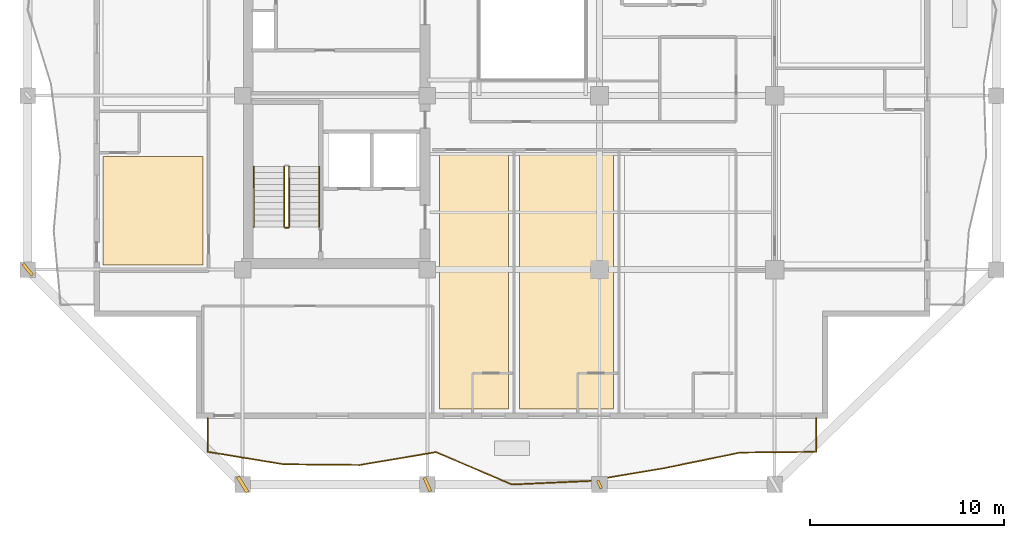
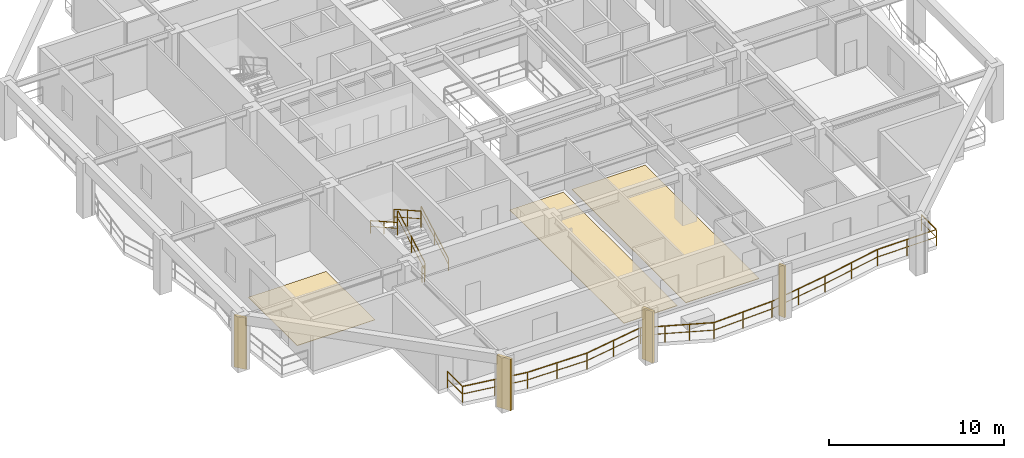
# One storey, part 8 of 12: 6 railings, 4 shading devices, 3 coverings.
"""IFC4 building model written with IfcOpenShell, lengths in metres."""

import ifcopenshell
import ifcopenshell.guid

model = None  # the IFC model being written
_history = None  # IfcOwnerHistory: only IFC2X3 demands one
_inside = {}  # id of a spatial element -> (the spatial element, [elements in it])
_under = {}  # id of a project, library or spatial element -> (it, [spatial elements below it])
_declared = {}  # id of a project -> (the project, [libraries it declares])
_typed = {}  # id of a type object -> (the type object, [elements of that type])
_made_of = {}  # id of a material, layer set ... -> (it, [elements and type objects made of it])


def new_model(schema):
    """Start an empty IFC model of exactly this schema.

    Asked for "IFC4X3", IfcOpenShell would pick the latest addendum, in which some entities
    have other attributes; the version numbers below select the first issue.
    IFC2X3 requires an IfcOwnerHistory on every rooted entity: one is made here for all.
    """
    global model, _history
    if schema == "IFC4X3":
        model = ifcopenshell.file(schema_version=(4, 3, 0, 0))
    else:
        model = ifcopenshell.file(schema=schema)
    _inside.clear()
    _under.clear()
    _declared.clear()
    _typed.clear()
    _made_of.clear()
    _history = None
    if model.schema == "IFC2X3":
        org = make("IfcOrganization", Name="unknown")
        user = make(
            "IfcPersonAndOrganization",
            ThePerson=make("IfcPerson", FamilyName="unknown"),
            TheOrganization=org,
        )
        app = make(
            "IfcApplication",
            ApplicationDeveloper=org,
            Version="unknown",
            ApplicationFullName="unknown",
            ApplicationIdentifier="unknown",
        )
        _history = make(
            "IfcOwnerHistory",
            OwningUser=user,
            OwningApplication=app,
            ChangeAction="ADDED",
            CreationDate=0,
        )
    return model


def make(cls, **values):
    """One entity of the class cls with the attributes given. An attribute that is None is left unset."""
    return model.create_entity(
        cls, **{name: value for name, value in values.items() if value is not None}
    )


def rooted(cls, **values):
    """An entity with a GlobalId (a new one), such as an element, a storey or a relation."""
    return make(cls, GlobalId=ifcopenshell.guid.new(), OwnerHistory=_history, **values)


def si_unit(unit_type, name, prefix=None):
    """IfcSIUnit, for example si_unit("LENGTHUNIT", "METRE", prefix="MILLI")."""
    return make("IfcSIUnit", UnitType=unit_type, Prefix=prefix, Name=name)


def assignment(units):
    """IfcUnitAssignment: the units of a project."""
    return None if units is None else make("IfcUnitAssignment", Units=units)


def point(xyz):
    """IfcCartesianPoint."""
    return None if xyz is None else make("IfcCartesianPoint", Coordinates=xyz)


def direction(xyz):
    """IfcDirection."""
    return None if xyz is None else make("IfcDirection", DirectionRatios=xyz)


def frame(location, z_axis=None, x_axis=None):
    """IfcAxis2Placement3D, a coordinate frame: its origin and axes. An axis left out is left unset."""
    return make(
        "IfcAxis2Placement3D",
        Location=point(location),
        Axis=direction(z_axis),
        RefDirection=direction(x_axis),
    )


def frame_2d(location, x_axis=None):
    """IfcAxis2Placement2D, a coordinate frame in the plane: its origin and x axis."""
    return make(
        "IfcAxis2Placement2D", Location=point(location), RefDirection=direction(x_axis)
    )


def origin():
    """The frame at (0, 0, 0) with its axes left unset."""
    return frame((0.0, 0.0, 0.0))


def origin_2d():
    """The frame at (0, 0) in the plane with its x axis left unset."""
    return frame_2d((0.0, 0.0))


def place(relative_to, where):
    """IfcLocalPlacement: puts the frame where relative to a parent placement (None: the world)."""
    return make(
        "IfcLocalPlacement", PlacementRelTo=relative_to, RelativePlacement=where
    )


def context(
    kind, dimensions, precision=None, world=None, true_north=None, identifier=None
):
    """IfcGeometricRepresentationContext, for example the 3D "Model" context."""
    return make(
        "IfcGeometricRepresentationContext",
        ContextIdentifier=identifier,
        ContextType=kind,
        CoordinateSpaceDimension=dimensions,
        Precision=precision,
        WorldCoordinateSystem=world,
        TrueNorth=true_north,
    )


def subcontext(parent, identifier, kind, view, scale=None):
    """IfcGeometricRepresentationSubContext, for example "Body" below "Model"."""
    return make(
        "IfcGeometricRepresentationSubContext",
        ContextIdentifier=identifier,
        ContextType=kind,
        ParentContext=parent,
        TargetScale=scale,
        TargetView=view,
    )


def project(units=None, contexts=None):
    """IfcProject with its units and contexts."""
    return rooted(
        "IfcProject",
        Name="project",
        RepresentationContexts=contexts,
        UnitsInContext=assignment(units),
    )


def spatial(cls, under=None, at=None, **own):
    """A site, building, storey or space (cls), placed at a placement, below another one or the project."""
    s = rooted(cls, ObjectPlacement=at, **own)
    if under is not None:
        _under.setdefault(under.id(), (under, []))[1].append(s)
    return s


def polyline(points):
    """IfcPolyline through the points."""
    return make("IfcPolyline", Points=[point(p) for p in points])


def profile(cls, at=None, kind="AREA", **sizes):
    """A parametric profile (cls). Its sizes go by their IFC names, for example OverallWidth=200.0."""
    return make(cls, ProfileType=kind, Position=at, **sizes)


def rectangle(**sizes):
    """IfcRectangleProfileDef."""
    return profile("IfcRectangleProfileDef", **sizes)


def outline(outer, holes=None, kind="AREA"):
    """IfcArbitraryClosedProfileDef: a profile drawn as a closed curve; with holes, ...WithVoids."""
    if holes is None:
        return make("IfcArbitraryClosedProfileDef", ProfileType=kind, OuterCurve=outer)
    return make(
        "IfcArbitraryProfileDefWithVoids",
        ProfileType=kind,
        OuterCurve=outer,
        InnerCurves=holes,
    )


def extrude(swept, where, along, depth):
    """IfcExtrudedAreaSolid: the profile swept, set in the frame where, extruded along a direction by depth."""
    return make(
        "IfcExtrudedAreaSolid",
        SweptArea=swept,
        Position=where,
        ExtrudedDirection=direction(along),
        Depth=depth,
    )


def shape(context_of_items, identifier, shape_type, items):
    """IfcShapeRepresentation: the items that make up one representation, for example the "Body"."""
    return make(
        "IfcShapeRepresentation",
        ContextOfItems=context_of_items,
        RepresentationIdentifier=identifier,
        RepresentationType=shape_type,
        Items=items,
    )


def material(Name=None, Category=None):
    """IfcMaterial."""
    return make("IfcMaterial", Name=Name, Category=Category)


def layer(
    of_material, thickness, ventilated=None, Name=None, Category=None, Priority=None
):
    """IfcMaterialLayer: one layer of a wall or slab, of a material (None: an air gap)."""
    return make(
        "IfcMaterialLayer",
        Material=of_material,
        LayerThickness=thickness,
        IsVentilated=ventilated,
        Name=Name,
        Category=Category,
        Priority=Priority,
    )


def layer_set(layers, Name=None):
    """IfcMaterialLayerSet."""
    return make("IfcMaterialLayerSet", MaterialLayers=layers, LayerSetName=Name)


def made_of(thing, what):
    """Note that an element or type object is made of a material, layer set ...; save() writes the relation."""
    if what is not None:
        _made_of.setdefault(what.id(), (what, []))[1].append(thing)
    return thing


def type_object(cls, material=None, **own):
    """A type object (cls), such as IfcWallType, which elements share."""
    return made_of(rooted(cls, **own), material)


def element(
    cls,
    number,
    at=None,
    inside=None,
    cuts=None,
    type_object=None,
    material=None,
    context=None,
    identifier="Body",
    shape_type=None,
    held_by="IfcProductDefinitionShape",
    body=None,
    shapes=None,
    **own,
):
    """One element of the class cls, such as IfcWall. Its Tag is "e" and its number.

    at: its placement. inside: the storey or other place that contains it. cuts: it is an
    opening in that element (IfcRelVoidsElement). A single representation is given by context,
    identifier, shape_type and body (its items); several are given by shapes. held_by: the class
    of the entity that holds the representations. save() writes the other relations.
    """
    e = rooted(cls, Tag="e%d" % number, ObjectPlacement=at, **own)
    if body is not None:
        shapes = [shape(context, identifier, shape_type, body)]
    if shapes is not None:
        e.Representation = make(held_by, Representations=shapes)
    if inside is not None:
        _inside.setdefault(inside.id(), (inside, []))[1].append(e)
    if cuts is not None:
        rooted(
            "IfcRelVoidsElement", RelatingBuildingElement=cuts, RelatedOpeningElement=e
        )
    if type_object is not None:
        _typed.setdefault(type_object.id(), (type_object, []))[1].append(e)
    return made_of(e, material)


def aggregate(whole, parts):
    """IfcRelAggregates: a whole, such as a stair, and the parts it consists of."""
    return rooted("IfcRelAggregates", RelatingObject=whole, RelatedObjects=parts)


def save(model, path):
    """Write the relations noted so far, then the file.

    IfcRelAggregates (storeys below a building ...), IfcRelContainedInSpatialStructure (elements
    in a storey), IfcRelDefinesByType, IfcRelAssociatesMaterial and IfcRelDeclares: one each for
    every whole, place, type object, material and project.
    """
    for whole, parts in _under.values():
        aggregate(whole, parts)
    for where, things in _inside.values():
        rooted(
            "IfcRelContainedInSpatialStructure",
            RelatedElements=things,
            RelatingStructure=where,
        )
    for kind, things in _typed.values():
        rooted("IfcRelDefinesByType", RelatedObjects=things, RelatingType=kind)
    for what, things in _made_of.values():
        rooted("IfcRelAssociatesMaterial", RelatedObjects=things, RelatingMaterial=what)
    for by, libraries in _declared.values():
        rooted("IfcRelDeclares", RelatingContext=by, RelatedDefinitions=libraries)
    model.write(path)


model = new_model("IFC4")

# Units and contexts
model_context = context("Model", 3, precision=1e-05, world=origin(), true_north=direction((0.0, 1.0)))
body_context = subcontext(model_context, "Body", "Model", "MODEL_VIEW")
ifc_project = project(units=[si_unit("LENGTHUNIT", "METRE"), si_unit("AREAUNIT", "SQUARE_METRE"), si_unit("VOLUMEUNIT", "CUBIC_METRE"), si_unit("PLANEANGLEUNIT", "RADIAN"), si_unit("MASSUNIT", "GRAM", prefix="KILO")], contexts=[model_context])

# Site, building, storey
site_placement = place(None, origin())
site = spatial("IfcSite", under=ifc_project, at=site_placement, CompositionType="ELEMENT")
building_placement = place(site_placement, origin())
building = spatial("IfcBuilding", under=site, at=building_placement, Name="Kundavana Baori Tower", CompositionType="ELEMENT")
storey_placement = place(building_placement, frame((0.0, 0.0, 173.300048828125)))
storey = spatial("IfcBuildingStorey", under=building, at=storey_placement, Name="L42", CompositionType="ELEMENT", Elevation=173.300048828125)

# Coverings
ifc_material_1 = material(Name="Honed Kota Stone and Terrazzo Flooring", Category="masonry")
ifc_layer = layer(ifc_material_1, 0.030029296875, Name="COV-INT-FLR")
ifc_layer_set = layer_set([ifc_layer], Name="Honed Kota Stone and Terrazzo Flooring")
covering_type = type_object("IfcCoveringType", Name="COV-INT-FLR", PredefinedType="FLOORING", material=ifc_layer_set)
covering_1_placement = place(storey_placement, origin())
element("IfcCovering", 1, at=covering_1_placement, inside=storey, type_object=covering_type, Name="L42 Room Finished Stone Flooring 1", PredefinedType="FLOORING", context=body_context, shape_type="SweptSolid", body=[
    extrude(outline(polyline([(8.280029296875, 15.5), (13.419921875, 15.5), (13.419921875, 21.070068359375), (8.280029296875, 21.070068359375), (8.280029296875, 15.5)])), origin(), (0.0, 0.0, 1.0), 0.030029296875),
])
covering_2_placement = place(storey_placement, origin())
element("IfcCovering", 2, at=covering_2_placement, inside=storey, type_object=covering_type, Name="L42 Room Finished Stone Flooring 4", PredefinedType="FLOORING", context=body_context, shape_type="SweptSolid", body=[
    extrude(outline(polyline([(25.580078125, 8.080078125), (29.1201171875, 8.080078125), (29.1201171875, 21.139892578125), (25.580078125, 21.139892578125), (25.580078125, 8.080078125)])), origin(), (0.0, 0.0, 1.0), 0.030029296875),
])
covering_3_placement = place(storey_placement, origin())
element("IfcCovering", 3, at=covering_3_placement, inside=storey, type_object=covering_type, Name="L42 Room Finished Stone Flooring 5", PredefinedType="FLOORING", context=body_context, shape_type="SweptSolid", body=[
    extrude(outline(polyline([(29.679931640625, 8.080078125), (34.52001953125, 8.080078125), (34.52001953125, 21.139892578125), (29.679931640625, 21.139892578125), (29.679931640625, 8.080078125)])), origin(), (0.0, 0.0, 1.0), 0.030029296875),
])

# Railings
ifc_material_2 = material(Name="Architectural Patinated Bronze Metalwork")
railing_type_1 = type_object("IfcRailingType", Name="RL-BAL-1150", PredefinedType="BALUSTRADE", material=ifc_material_2)
railing_1_placement = place(storey_placement, frame((44.949951171875, 7.60009765625, 0.0)))
element("IfcRailing", 4, at=railing_1_placement, inside=storey, type_object=railing_type_1, Name="L42 Loggia Balcony Balustrade S", PredefinedType="BALUSTRADE", context=body_context, shape_type="SweptSolid", body=[
    extrude(rectangle(XDim=0.048095703125, YDim=0.048095703125, at=origin_2d()), frame((0.0, 0.0, 1.1259765625), z_axis=(0.0, -1.0, 0.0), x_axis=(1.0, 0.0, 0.0)), (0.0, 0.0, 1.0), 1.72021484375),
    extrude(rectangle(XDim=0.03125, YDim=0.03125, at=origin_2d()), frame((0.0, 0.0, 0.597900390625), z_axis=(0.0, -1.0, 0.0), x_axis=(1.0, 0.0, 0.0)), (0.0, 0.0, 1.0), 1.72021484375),
    extrude(rectangle(XDim=0.048095703125, YDim=0.048095703125, at=origin_2d()), frame((0.0, -1.72021484375, 1.1259765625), z_axis=(-0.999948260308, -0.010172350149, 0.0), x_axis=(0.010172350149, -0.999948260308, 0.0)), (0.0, 0.0, 1.0), 3.912109375),
    extrude(rectangle(XDim=0.03125, YDim=0.03125, at=origin_2d()), frame((0.0, -1.72021484375, 0.597900390625), z_axis=(-0.999948260308, -0.010172350149, 0.0), x_axis=(0.010172350149, -0.999948260308, 0.0)), (0.0, 0.0, 1.0), 3.912109375),
    extrude(rectangle(XDim=0.048095703125, YDim=0.048095703125, at=origin_2d()), frame((-3.911865234375, -1.760009765625, 1.1259765625), z_axis=(-0.979636312736, -0.200780215082, 0.0), x_axis=(0.200780215082, -0.979636312736, 0.0)), (0.0, 0.0, 1.0), 3.994384765625),
    extrude(rectangle(XDim=0.03125, YDim=0.03125, at=origin_2d()), frame((-3.911865234375, -1.760009765625, 0.597900390625), z_axis=(-0.979636312736, -0.200780215082, 0.0), x_axis=(0.200780215082, -0.979636312736, 0.0)), (0.0, 0.0, 1.0), 3.994384765625),
    extrude(rectangle(XDim=0.048095703125, YDim=0.048095703125, at=origin_2d()), frame((-7.824951171875, -2.56201171875, 1.1259765625), z_axis=(-0.986018861941, -0.166633741771, 0.0), x_axis=(0.166633741771, -0.986018861941, 0.0)), (0.0, 0.0, 1.0), 3.967529296875),
    extrude(rectangle(XDim=0.03125, YDim=0.03125, at=origin_2d()), frame((-7.824951171875, -2.56201171875, 0.597900390625), z_axis=(-0.986018861941, -0.166633741771, 0.0), x_axis=(0.166633741771, -0.986018861941, 0.0)), (0.0, 0.0, 1.0), 3.967529296875),
    extrude(rectangle(XDim=0.048095703125, YDim=0.048095703125, at=origin_2d()), frame((-11.737060546875, -3.22314453125, 1.1259765625), z_axis=(-0.998978412332, -0.045189951266, 0.0), x_axis=(0.045189951266, -0.998978412332, 0.0)), (0.0, 0.0, 1.0), 3.916748046875),
    extrude(rectangle(XDim=0.03125, YDim=0.03125, at=origin_2d()), frame((-11.737060546875, -3.22314453125, 0.597900390625), z_axis=(-0.998978412332, -0.045189951266, 0.0), x_axis=(0.045189951266, -0.998978412332, 0.0)), (0.0, 0.0, 1.0), 3.916748046875),
    extrude(rectangle(XDim=0.048095703125, YDim=0.048095703125, at=origin_2d()), frame((-15.64990234375, -3.400146484375, 1.1259765625), z_axis=(-0.920376399955, 0.391033607769, 0.0), x_axis=(-0.391033607769, -0.920376399955, 0.0)), (0.0, 0.0, 1.0), 4.25048828125),
    extrude(rectangle(XDim=0.03125, YDim=0.03125, at=origin_2d()), frame((-15.64990234375, -3.400146484375, 0.597900390625), z_axis=(-0.920376399955, 0.391033607769, 0.0), x_axis=(-0.391033607769, -0.920376399955, 0.0)), (0.0, 0.0, 1.0), 4.25048828125),
    extrude(rectangle(XDim=0.048095703125, YDim=0.048095703125, at=origin_2d()), frame((-19.56201171875, -1.738037109375, 1.1259765625), z_axis=(-0.986023986339, -0.166603416423, 0.0), x_axis=(0.166603416423, -0.986023986339, 0.0)), (0.0, 0.0, 1.0), 3.96826171875),
    extrude(rectangle(XDim=0.03125, YDim=0.03125, at=origin_2d()), frame((-19.56201171875, -1.738037109375, 0.597900390625), z_axis=(-0.986023986339, -0.166603416423, 0.0), x_axis=(0.166603416423, -0.986023986339, 0.0)), (0.0, 0.0, 1.0), 3.96826171875),
    extrude(rectangle(XDim=0.048095703125, YDim=0.048095703125, at=origin_2d()), frame((-23.474853515625, -2.399169921875, 1.1259765625), z_axis=(-0.999955035557, 0.009482977627, 0.0), x_axis=(-0.009482977627, -0.999955035557, 0.0)), (0.0, 0.0, 1.0), 3.913330078125),
    extrude(rectangle(XDim=0.03125, YDim=0.03125, at=origin_2d()), frame((-23.474853515625, -2.399169921875, 0.597900390625), z_axis=(-0.999955035557, 0.009482977627, 0.0), x_axis=(-0.009482977627, -0.999955035557, 0.0)), (0.0, 0.0, 1.0), 3.913330078125),
    extrude(rectangle(XDim=0.048095703125, YDim=0.048095703125, at=origin_2d()), frame((-27.387939453125, -2.362060546875, 1.1259765625), z_axis=(-0.986806866027, 0.161901850398, 0.0), x_axis=(-0.161901850398, -0.986806866027, 0.0)), (0.0, 0.0, 1.0), 3.96435546875),
    extrude(rectangle(XDim=0.03125, YDim=0.03125, at=origin_2d()), frame((-27.387939453125, -2.362060546875, 0.597900390625), z_axis=(-0.986806866027, 0.161901850398, 0.0), x_axis=(-0.161901850398, -0.986806866027, 0.0)), (0.0, 0.0, 1.0), 3.96435546875),
    extrude(rectangle(XDim=0.048095703125, YDim=0.048095703125, at=origin_2d()), frame((-31.300048828125, -1.72021484375, 1.1259765625), z_axis=(0.0, 1.0, 0.0), x_axis=(-1.0, 0.0, 0.0)), (0.0, 0.0, 1.0), 1.72021484375),
    extrude(rectangle(XDim=0.03125, YDim=0.03125, at=origin_2d()), frame((-31.300048828125, -1.72021484375, 0.597900390625), z_axis=(0.0, 1.0, 0.0), x_axis=(-1.0, 0.0, 0.0)), (0.0, 0.0, 1.0), 1.72021484375),
    extrude(rectangle(XDim=0.0419921875, YDim=0.0419921875, at=origin_2d()), origin(), (0.0, 0.0, 1.0), 1.101806640625),
    extrude(rectangle(XDim=0.0419921875, YDim=0.0419921875, at=origin_2d()), frame((0.0, -1.72021484375, 0.0)), (0.0, 0.0, 1.0), 1.101806640625),
    extrude(rectangle(XDim=0.0419921875, YDim=0.0419921875, at=origin_2d()), frame((-1.9560546875, -1.740234375, 0.0)), (0.0, 0.0, 1.0), 1.101806640625),
    extrude(rectangle(XDim=0.0419921875, YDim=0.0419921875, at=origin_2d()), frame((-3.911865234375, -1.760009765625, 0.0)), (0.0, 0.0, 1.0), 1.101806640625),
    extrude(rectangle(XDim=0.0419921875, YDim=0.0419921875, at=origin_2d()), frame((-5.868408203125, -2.1611328125, 0.0)), (0.0, 0.0, 1.0), 1.101806640625),
    extrude(rectangle(XDim=0.0419921875, YDim=0.0419921875, at=origin_2d()), frame((-7.824951171875, -2.56201171875, 0.0)), (0.0, 0.0, 1.0), 1.101806640625),
    extrude(rectangle(XDim=0.0419921875, YDim=0.0419921875, at=origin_2d()), frame((-9.781005859375, -2.892578125, 0.0)), (0.0, 0.0, 1.0), 1.101806640625),
    extrude(rectangle(XDim=0.0419921875, YDim=0.0419921875, at=origin_2d()), frame((-11.737060546875, -3.22314453125, 0.0)), (0.0, 0.0, 1.0), 1.101806640625),
    extrude(rectangle(XDim=0.0419921875, YDim=0.0419921875, at=origin_2d()), frame((-13.693359375, -3.3115234375, 0.0)), (0.0, 0.0, 1.0), 1.101806640625),
    extrude(rectangle(XDim=0.0419921875, YDim=0.0419921875, at=origin_2d()), frame((-15.64990234375, -3.400146484375, 0.0)), (0.0, 0.0, 1.0), 1.101806640625),
    extrude(rectangle(XDim=0.0419921875, YDim=0.0419921875, at=origin_2d()), frame((-16.953857421875, -2.84619140625, 0.0)), (0.0, 0.0, 1.0), 1.101806640625),
    extrude(rectangle(XDim=0.0419921875, YDim=0.0419921875, at=origin_2d()), frame((-18.258056640625, -2.2919921875, 0.0)), (0.0, 0.0, 1.0), 1.101806640625),
    extrude(rectangle(XDim=0.0419921875, YDim=0.0419921875, at=origin_2d()), frame((-19.56201171875, -1.738037109375, 0.0)), (0.0, 0.0, 1.0), 1.101806640625),
    extrude(rectangle(XDim=0.0419921875, YDim=0.0419921875, at=origin_2d()), frame((-21.5185546875, -2.068603515625, 0.0)), (0.0, 0.0, 1.0), 1.101806640625),
    extrude(rectangle(XDim=0.0419921875, YDim=0.0419921875, at=origin_2d()), frame((-23.474853515625, -2.399169921875, 0.0)), (0.0, 0.0, 1.0), 1.101806640625),
    extrude(rectangle(XDim=0.0419921875, YDim=0.0419921875, at=origin_2d()), frame((-25.431396484375, -2.380615234375, 0.0)), (0.0, 0.0, 1.0), 1.101806640625),
    extrude(rectangle(XDim=0.0419921875, YDim=0.0419921875, at=origin_2d()), frame((-27.387939453125, -2.362060546875, 0.0)), (0.0, 0.0, 1.0), 1.101806640625),
    extrude(rectangle(XDim=0.0419921875, YDim=0.0419921875, at=origin_2d()), frame((-29.343994140625, -2.041015625, 0.0)), (0.0, 0.0, 1.0), 1.101806640625),
    extrude(rectangle(XDim=0.0419921875, YDim=0.0419921875, at=origin_2d()), frame((-31.300048828125, -1.72021484375, 0.0)), (0.0, 0.0, 1.0), 1.101806640625),
    extrude(rectangle(XDim=0.0419921875, YDim=0.0419921875, at=origin_2d()), frame((-31.300048828125, 0.0, 0.0)), (0.0, 0.0, 1.0), 1.101806640625),
])
ifc_material_3 = material(Name="Architectural Patinated Bronze Metalwork")
railing_type_2 = type_object("IfcRailingType", Name="RL-GRD-1150", PredefinedType="GUARDRAIL", material=ifc_material_3)
railing_2_placement = place(storey_placement, frame((17.840087890625, 17.449951171875, 0.175048828125)))
element("IfcRailing", 5, at=railing_2_placement, inside=storey, type_object=railing_type_2, Name="L42 ST1 stair guard 1", PredefinedType="GUARDRAIL", context=body_context, shape_type="SweptSolid", body=[
    extrude(rectangle(XDim=0.048095703125, YDim=0.048095703125, at=origin_2d()), frame((0.0, 0.0, 1.1259765625), z_axis=(0.0, 0.870830938388, 0.491582624537), x_axis=(-1.0, 0.0, 0.0)), (0.0, 0.0, 1.0), 3.559814453125),
    extrude(rectangle(XDim=0.03125, YDim=0.03125, at=origin_2d()), frame((0.0, 0.0, 0.597900390625), z_axis=(0.0, 0.870830938388, 0.491582624537), x_axis=(-1.0, 0.0, 0.0)), (0.0, 0.0, 1.0), 3.559814453125),
    extrude(rectangle(XDim=0.0419921875, YDim=0.0419921875, at=origin_2d()), origin(), (0.0, 0.0, 1.0), 1.101806640625),
    extrude(rectangle(XDim=0.0419921875, YDim=0.0419921875, at=origin_2d()), frame((0.0, 1.550048828125, 0.875)), (0.0, 0.0, 1.0), 1.101806640625),
    extrude(rectangle(XDim=0.0419921875, YDim=0.0419921875, at=origin_2d()), frame((0.0, 3.10009765625, 1.75)), (0.0, 0.0, 1.0), 1.101806640625),
])
railing_3_placement = place(storey_placement, frame((17.580078125, 20.550048828125, 2.099853515625)))
element("IfcRailing", 6, at=railing_3_placement, inside=storey, type_object=railing_type_2, Name="L42 ST1 stair guard 3", PredefinedType="GUARDRAIL", context=body_context, shape_type="SweptSolid", body=[
    extrude(rectangle(XDim=0.048095703125, YDim=0.048095703125, at=origin_2d()), frame((0.0, 0.0, 1.1259765625), z_axis=(0.0, -0.870830938388, 0.491582624537), x_axis=(1.0, 0.0, 0.0)), (0.0, 0.0, 1.0), 3.559814453125),
    extrude(rectangle(XDim=0.03125, YDim=0.03125, at=origin_2d()), frame((0.0, 0.0, 0.597900390625), z_axis=(0.0, -0.870830938388, 0.491582624537), x_axis=(1.0, 0.0, 0.0)), (0.0, 0.0, 1.0), 3.559814453125),
    extrude(rectangle(XDim=0.0419921875, YDim=0.0419921875, at=origin_2d()), origin(), (0.0, 0.0, 1.0), 1.101806640625),
    extrude(rectangle(XDim=0.0419921875, YDim=0.0419921875, at=origin_2d()), frame((0.0, -1.550048828125, 0.875)), (0.0, 0.0, 1.0), 1.101806640625),
    extrude(rectangle(XDim=0.0419921875, YDim=0.0419921875, at=origin_2d()), frame((0.0, -3.10009765625, 1.75)), (0.0, 0.0, 1.0), 1.101806640625),
])
railing_4_placement = place(storey_placement, frame((17.7900390625, 17.39990234375, 0.0)))
element("IfcRailing", 7, at=railing_4_placement, inside=storey, type_object=railing_type_2, Name="L42 ST1 stair guard 4", PredefinedType="GUARDRAIL", context=body_context, shape_type="SweptSolid", body=[
    extrude(rectangle(XDim=0.048095703125, YDim=0.048095703125, at=origin_2d()), frame((0.0, 0.0, 1.1259765625), z_axis=(-1.0, 0.0, 0.0), x_axis=(0.0, -1.0, 0.0)), (0.0, 0.0, 1.0), 0.16015625),
    extrude(rectangle(XDim=0.03125, YDim=0.03125, at=origin_2d()), frame((0.0, 0.0, 0.597900390625), z_axis=(-1.0, 0.0, 0.0), x_axis=(0.0, -1.0, 0.0)), (0.0, 0.0, 1.0), 0.16015625),
    extrude(rectangle(XDim=0.0419921875, YDim=0.0419921875, at=origin_2d()), origin(), (0.0, 0.0, 1.0), 1.101806640625),
    extrude(rectangle(XDim=0.0419921875, YDim=0.0419921875, at=origin_2d()), frame((-0.16015625, 0.0, 0.0)), (0.0, 0.0, 1.0), 1.101806640625),
])
ifc_material_4 = material(Name="Architectural Patinated Bronze Metalwork")
railing_type_3 = type_object("IfcRailingType", Name="RL-HND-920", PredefinedType="HANDRAIL", material=ifc_material_4)
railing_5_placement = place(storey_placement, frame((19.389892578125, 17.449951171875, 0.175048828125)))
element("IfcRailing", 8, at=railing_5_placement, inside=storey, type_object=railing_type_3, Name="L42 ST1 stair handrail 1", PredefinedType="HANDRAIL", context=body_context, shape_type="SweptSolid", body=[
    extrude(rectangle(XDim=0.048095703125, YDim=0.048095703125, at=origin_2d()), frame((0.0, 0.0, 0.8759765625), z_axis=(0.0, 0.870830938388, 0.491582624537), x_axis=(-1.0, 0.0, 0.0)), (0.0, 0.0, 1.0), 3.559814453125),
    extrude(rectangle(XDim=0.03125, YDim=0.03125, at=origin_2d()), frame((0.0, 0.0, 0.468017578125), z_axis=(0.0, 0.870830938388, 0.491582624537), x_axis=(-1.0, 0.0, 0.0)), (0.0, 0.0, 1.0), 3.559814453125),
    extrude(rectangle(XDim=0.0419921875, YDim=0.0419921875, at=origin_2d()), origin(), (0.0, 0.0, 1.0), 0.851806640625),
    extrude(rectangle(XDim=0.0419921875, YDim=0.0419921875, at=origin_2d()), frame((0.0, 1.550048828125, 0.875)), (0.0, 0.0, 1.0), 0.851806640625),
    extrude(rectangle(XDim=0.0419921875, YDim=0.0419921875, at=origin_2d()), frame((0.0, 3.10009765625, 1.75)), (0.0, 0.0, 1.0), 0.851806640625),
])
railing_6_placement = place(storey_placement, frame((16.030029296875, 20.550048828125, 2.099853515625)))
element("IfcRailing", 9, at=railing_6_placement, inside=storey, type_object=railing_type_3, Name="L42 ST1 stair handrail 2", PredefinedType="HANDRAIL", context=body_context, shape_type="SweptSolid", body=[
    extrude(rectangle(XDim=0.048095703125, YDim=0.048095703125, at=origin_2d()), frame((0.0, 0.0, 0.8759765625), z_axis=(0.0, -0.870830938388, 0.491582624537), x_axis=(1.0, 0.0, 0.0)), (0.0, 0.0, 1.0), 3.559814453125),
    extrude(rectangle(XDim=0.03125, YDim=0.03125, at=origin_2d()), frame((0.0, 0.0, 0.468017578125), z_axis=(0.0, -0.870830938388, 0.491582624537), x_axis=(1.0, 0.0, 0.0)), (0.0, 0.0, 1.0), 3.559814453125),
    extrude(rectangle(XDim=0.0419921875, YDim=0.0419921875, at=origin_2d()), origin(), (0.0, 0.0, 1.0), 0.851806640625),
    extrude(rectangle(XDim=0.0419921875, YDim=0.0419921875, at=origin_2d()), frame((0.0, -1.550048828125, 0.875)), (0.0, 0.0, 1.0), 0.851806640625),
    extrude(rectangle(XDim=0.0419921875, YDim=0.0419921875, at=origin_2d()), frame((0.0, -3.10009765625, 1.75)), (0.0, 0.0, 1.0), 0.851806640625),
])

# Shading devices
ifc_material_5 = material(Name="Red-Buff Dholpur Sandstone Cladding on Concrete C40/50", Category="masonry")
shading_device_type_1 = type_object("IfcShadingDeviceType", Name="SHD-FIN-750", PredefinedType="JALOUSIE", material=ifc_material_5)
for number, where, z_axis, x_axis, name in (
    (10, (24.949951171875, 4.199951171875, 0.0), (0.0, 0.0, 1.0), (0.916152981696, 0.400828784059, 0.0), "L42 Sweeping Dholpur Sandstone Facade Fin 2"),
    (11, (4.39990234375, 15.25, 0.0), (0.0, 0.0, 1.0), (0.771402503197, 0.636347529312, 0.0), "L42 Sweeping Dholpur Sandstone Facade Fin 5"),
):
    element("IfcShadingDevice", number, at=place(storey_placement, frame(where, z_axis=z_axis, x_axis=x_axis)), inside=storey, type_object=shading_device_type_1, Name=name, PredefinedType="JALOUSIE", context=body_context, shape_type="SweptSolid", body=[
        extrude(rectangle(XDim=0.159912109375, YDim=0.75, at=origin_2d()), origin(), (0.0, 0.0, 1.0), 3.60009765625),
    ])
ifc_material_6 = material(Name="Red-Buff Dholpur Sandstone Cladding on Concrete C40/50", Category="masonry")
shading_device_type_2 = type_object("IfcShadingDeviceType", Name="SHD-FIN-920", PredefinedType="JALOUSIE", material=ifc_material_6)
shading_device_1_placement = place(storey_placement, frame((15.449951171875, 4.199951171875, 0.0), z_axis=(0.0, 0.0, 1.0), x_axis=(0.847307362866, 0.531102845816, 0.0)))
element("IfcShadingDevice", 12, at=shading_device_1_placement, inside=storey, type_object=shading_device_type_2, Name="L42 Sweeping Dholpur Sandstone Facade Fin 1", PredefinedType="JALOUSIE", context=body_context, shape_type="SweptSolid", body=[
    extrude(rectangle(XDim=0.179931640625, YDim=0.919921875, at=origin_2d()), origin(), (0.0, 0.0, 1.0), 3.60009765625),
])
ifc_material_7 = material(Name="Architectural Patinated Bronze Metalwork")
shading_device_type_3 = type_object("IfcShadingDeviceType", Name="SHD-LOUV-450", PredefinedType="SHUTTER", material=ifc_material_7)
shading_device_2_placement = place(storey_placement, frame((33.800048828125, 4.199951171875, 0.0), z_axis=(0.0, 0.0, 1.0), x_axis=(0.921389024106, 0.388641565272, 0.0)))
element("IfcShadingDevice", 13, at=shading_device_2_placement, inside=storey, type_object=shading_device_type_3, Name="L42 Sweeping Dholpur Sandstone Facade Fin 3", PredefinedType="SHUTTER", context=body_context, shape_type="SweptSolid", body=[
    extrude(rectangle(XDim=0.139892578125, YDim=0.449951171875, at=origin_2d()), origin(), (0.0, 0.0, 1.0), 3.60009765625),
])

save(model, "model.ifc")
